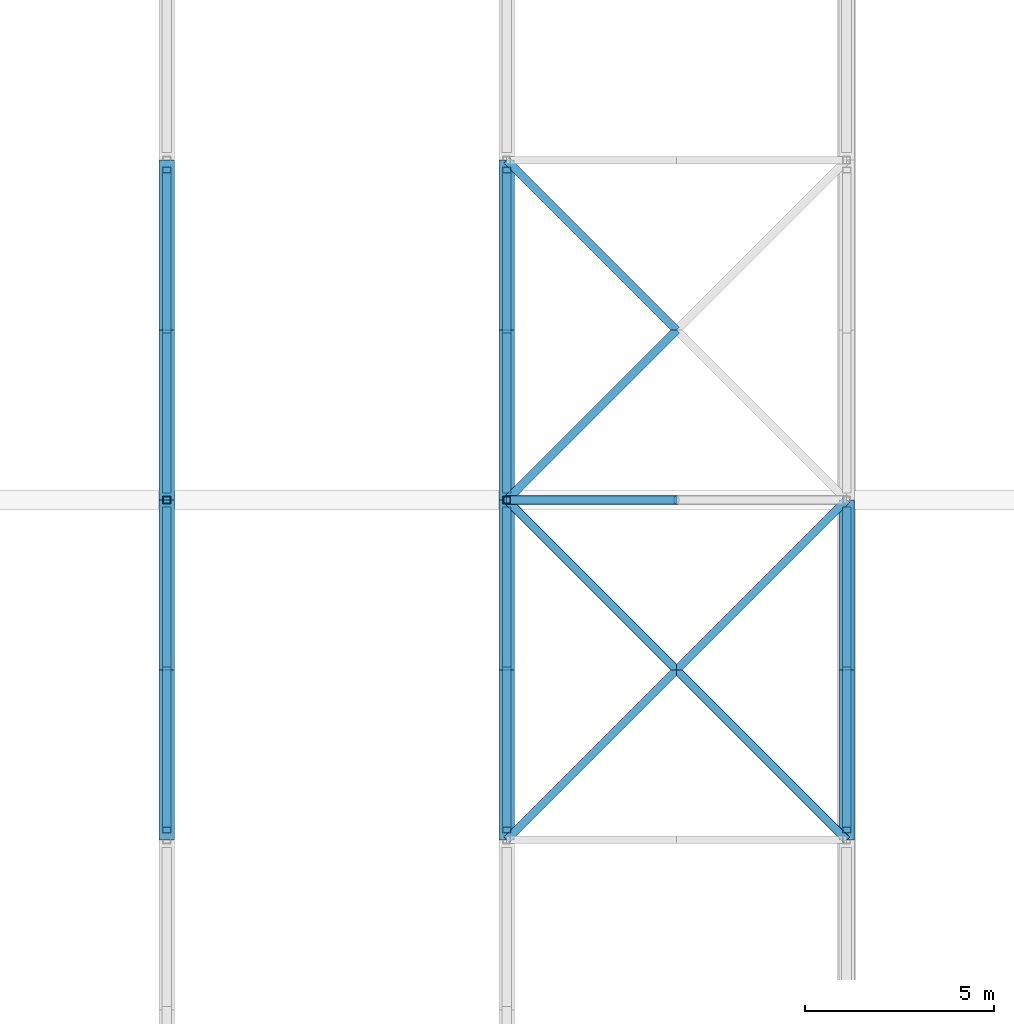
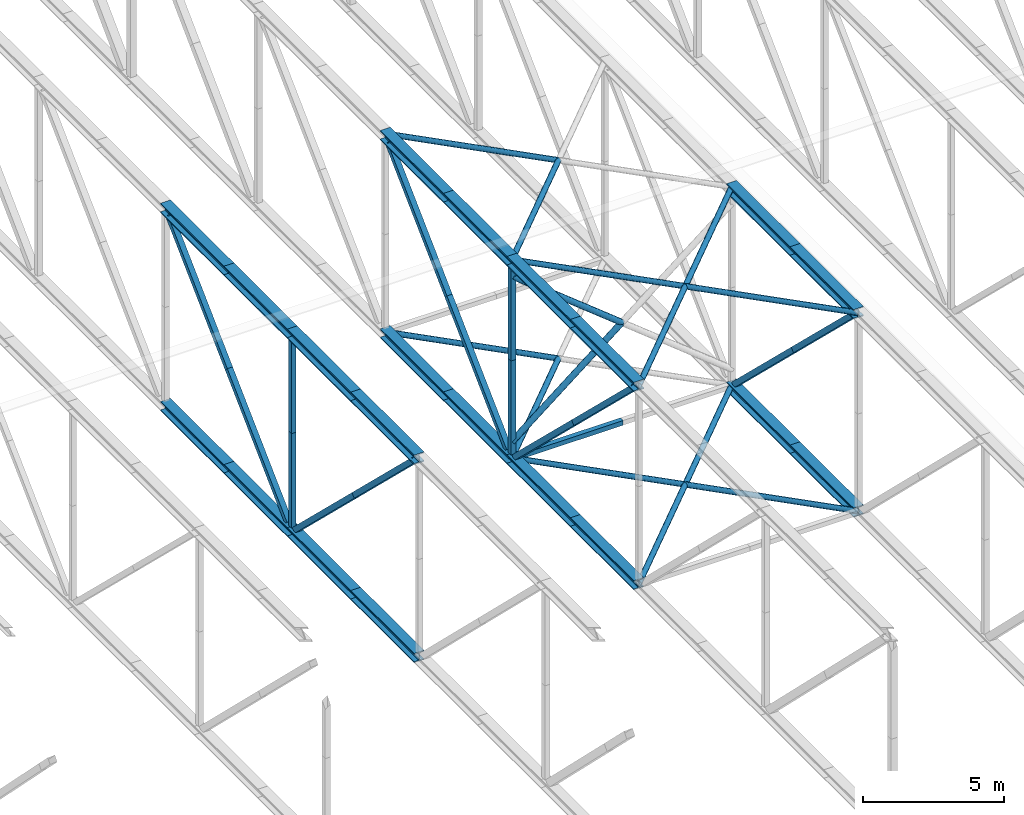
# One storey, part 69 of 646: 49 members.
"""IFC4 building model written with IfcOpenShell, lengths in metres."""

from ifc_helpers import new_model, si_unit, direction, frame, origin, origin_2d, place, context, subcontext, project, spatial, hollow_rectangle, hollow_circle, i_section, extrude, material, material_profile, profile_set, type_object, element, save


model = new_model("IFC4")

# Units and contexts
model_context = context("Model", 3, precision=1e-05, world=origin(), true_north=direction((0.0, 1.0)))
body_context = subcontext(model_context, "Body", "Model", "MODEL_VIEW")
ifc_project = project(units=[si_unit("LENGTHUNIT", "METRE"), si_unit("AREAUNIT", "SQUARE_METRE"), si_unit("VOLUMEUNIT", "CUBIC_METRE"), si_unit("PLANEANGLEUNIT", "RADIAN"), si_unit("MASSUNIT", "GRAM", prefix="KILO")], contexts=[model_context])

# Site, building, storey
site_placement = place(None, origin())
site = spatial("IfcSite", under=ifc_project, at=site_placement, CompositionType="ELEMENT")
building_placement = place(site_placement, origin())
building = spatial("IfcBuilding", under=site, at=building_placement, Name="Silverbay Arena", CompositionType="ELEMENT")
storey_placement = place(building_placement, frame((0.0, 0.0, 33.5)))
storey = spatial("IfcBuildingStorey", under=building, at=storey_placement, Name="L05", CompositionType="ELEMENT", Elevation=33.5)

# Members
ifc_material_1 = material(Name="Steel S355", Category="steel")
ifc_material_profile_1 = material_profile(ifc_material_1, hollow_rectangle(XDim=0.199951171875, YDim=0.199951171875, WallThickness=0.008056640625, at=origin_2d()), Name="SHS 200x200x8")
ifc_profile_set_1 = profile_set([ifc_material_profile_1], Name="Steel S355")
member_type_1 = type_object("IfcMemberType", Name="Bracing strut SHS 200x200x8", PredefinedType="STRUT", material=ifc_profile_set_1)
member_1_placement = place(storey_placement, frame((126.0, 81.0, 4.203125), z_axis=(1.0, 0.0, 0.0), x_axis=(0.0, 1.0, 0.0)))
element("IfcMember", 1, at=member_1_placement, inside=storey, type_object=member_type_1, Name="ROOF BRACING strut 15-16 line 09a", PredefinedType="STRUT", context=body_context, shape_type="SweptSolid", body=[
    extrude(hollow_rectangle(XDim=0.199951171875, YDim=0.199951171875, WallThickness=0.008056640625, at=origin_2d()), origin(), (0.0, 0.0, 1.0), 4.5),
])
ifc_material_2 = material(Name="Steel S355", Category="steel")
ifc_material_profile_2 = material_profile(ifc_material_2, i_section(OverallWidth=0.403076171875, OverallDepth=0.406494140625, WebThickness=0.026611328125, FlangeThickness=0.04296875, at=origin_2d()), Name="UC 356x406x340")
ifc_profile_set_2 = profile_set([ifc_material_profile_2], Name="Steel S355")
member_type_2 = type_object("IfcMemberType", Name="Main-span bottom chord UC 356x406x340", PredefinedType="CHORD", material=ifc_profile_set_2)
for number, where, z_axis, x_axis, name in (
    (2, (117.0, 72.0, 4.203125), (0.0, 1.0, 0.0), (-1.0, 0.0, 0.0), "ROOF TRUSS 14 bottom chord 08a"),
    (3, (117.0, 76.5, 4.203125), (0.0, 1.0, 0.0), (-1.0, 0.0, 0.0), "ROOF TRUSS 14 bottom chord 08b"),
    (4, (117.0, 81.0, 4.203125), (0.0, 1.0, 0.0), (-1.0, 0.0, 0.0), "ROOF TRUSS 14 bottom chord 09a"),
    (5, (117.0, 85.5, 4.203125), (0.0, 1.0, 0.0), (-1.0, 0.0, 0.0), "ROOF TRUSS 14 bottom chord 09b"),
    (6, (126.0, 72.0, 4.203125), (0.0, 1.0, 0.0), (-1.0, 0.0, 0.0), "ROOF TRUSS 15 bottom chord 08a"),
    (7, (126.0, 76.5, 4.203125), (0.0, 1.0, 0.0), (-1.0, 0.0, 0.0), "ROOF TRUSS 15 bottom chord 08b"),
    (8, (126.0, 81.0, 4.203125), (0.0, 1.0, 0.0), (-1.0, 0.0, 0.0), "ROOF TRUSS 15 bottom chord 09a"),
    (9, (126.0, 85.5, 4.203125), (0.0, 1.0, 0.0), (-1.0, 0.0, 0.0), "ROOF TRUSS 15 bottom chord 09b"),
    (10, (135.0, 72.0, 4.203125), (0.0, 1.0, 0.0), (-1.0, 0.0, 0.0), "ROOF TRUSS 16 bottom chord 08a"),
    (11, (135.0, 76.5, 4.203125), (0.0, 1.0, 0.0), (-1.0, 0.0, 0.0), "ROOF TRUSS 16 bottom chord 08b"),
):
    element("IfcMember", number, at=place(storey_placement, frame(where, z_axis=z_axis, x_axis=x_axis)), inside=storey, type_object=member_type_2, Name=name, PredefinedType="CHORD", context=body_context, shape_type="SweptSolid", body=[
        extrude(i_section(OverallWidth=0.403076171875, OverallDepth=0.406494140625, WebThickness=0.026611328125, FlangeThickness=0.04296875, at=origin_2d()), origin(), (0.0, 0.0, 1.0), 4.5),
    ])
ifc_material_3 = material(Name="Steel S355", Category="steel")
ifc_material_profile_3 = material_profile(ifc_material_3, i_section(OverallWidth=0.406982421875, OverallDepth=0.4189453125, WebThickness=0.030517578125, FlangeThickness=0.04931640625, at=origin_2d()), Name="UC 356x406x393")
ifc_profile_set_3 = profile_set([ifc_material_profile_3], Name="Steel S355")
member_type_3 = type_object("IfcMemberType", Name="Main-span top chord UC 356x406x393", PredefinedType="CHORD", material=ifc_profile_set_3)
for number, where, z_axis, x_axis, name in (
    (12, (117.0, 72.0, 12.79052734375), (0.0, 1.0, 0.0), (-1.0, 0.0, 0.0), "ROOF TRUSS 14 top chord 08a"),
    (13, (117.0, 76.5, 12.79052734375), (0.0, 1.0, 0.0), (-1.0, 0.0, 0.0), "ROOF TRUSS 14 top chord 08b"),
    (14, (117.0, 81.0, 12.79052734375), (0.0, 1.0, 0.0), (-1.0, 0.0, 0.0), "ROOF TRUSS 14 top chord 09a"),
    (15, (117.0, 85.5, 12.79052734375), (0.0, 1.0, 0.0), (-1.0, 0.0, 0.0), "ROOF TRUSS 14 top chord 09b"),
    (16, (126.0, 72.0, 12.79052734375), (0.0, 1.0, 0.0), (-1.0, 0.0, 0.0), "ROOF TRUSS 15 top chord 08a"),
    (17, (126.0, 76.5, 12.79052734375), (0.0, 1.0, 0.0), (-1.0, 0.0, 0.0), "ROOF TRUSS 15 top chord 08b"),
    (18, (126.0, 81.0, 12.79052734375), (0.0, 1.0, 0.0), (-1.0, 0.0, 0.0), "ROOF TRUSS 15 top chord 09a"),
    (19, (126.0, 85.5, 12.79052734375), (0.0, 1.0, 0.0), (-1.0, 0.0, 0.0), "ROOF TRUSS 15 top chord 09b"),
    (20, (135.0, 72.0, 12.79052734375), (0.0, 1.0, 0.0), (-1.0, 0.0, 0.0), "ROOF TRUSS 16 top chord 08a"),
    (21, (135.0, 76.5, 12.79052734375), (0.0, 1.0, 0.0), (-1.0, 0.0, 0.0), "ROOF TRUSS 16 top chord 08b"),
):
    element("IfcMember", number, at=place(storey_placement, frame(where, z_axis=z_axis, x_axis=x_axis)), inside=storey, type_object=member_type_3, Name=name, PredefinedType="CHORD", context=body_context, shape_type="SweptSolid", body=[
        extrude(i_section(OverallWidth=0.406982421875, OverallDepth=0.4189453125, WebThickness=0.030517578125, FlangeThickness=0.04931640625, at=origin_2d()), origin(), (0.0, 0.0, 1.0), 4.5),
    ])
ifc_material_4 = material(Name="Steel S355", Category="steel")
ifc_material_profile_4 = material_profile(ifc_material_4, hollow_rectangle(XDim=0.219970703125, YDim=0.219970703125, WallThickness=0.010009765625, at=origin_2d()), Name="SHS 220x220x10")
ifc_profile_set_4 = profile_set([ifc_material_profile_4], Name="Steel S355")
member_type_4 = type_object("IfcMemberType", Name="Main-span truss diagonal SHS 220x220x10", PredefinedType="BRACE", material=ifc_profile_set_4)
member_2_placement = place(storey_placement, frame((117.0, 72.263671875, 12.5810546875), z_axis=(0.0, 0.719642957034, -0.694344305364), x_axis=(-1.0, 0.0, 0.0)))
element("IfcMember", 22, at=member_2_placement, inside=storey, type_object=member_type_4, Name="ROOF TRUSS 14 diagonal 08a", PredefinedType="BRACE", context=body_context, shape_type="SweptSolid", body=[
    extrude(hollow_rectangle(XDim=0.219970703125, YDim=0.219970703125, WallThickness=0.010009765625, at=origin_2d()), origin(), (0.0, 0.0, 1.0), 5.88671875),
])
member_3_placement = place(storey_placement, frame((117.0, 76.5, 8.49365234375), z_axis=(0.0, 0.719663680638, -0.694322826047), x_axis=(-1.0, 0.0, 0.0)))
element("IfcMember", 23, at=member_3_placement, inside=storey, type_object=member_type_4, Name="ROOF TRUSS 14 diagonal 08b", PredefinedType="BRACE", context=body_context, shape_type="SweptSolid", body=[
    extrude(hollow_rectangle(XDim=0.219970703125, YDim=0.219970703125, WallThickness=0.010009765625, at=origin_2d()), origin(), (0.0, 0.0, 1.0), 5.886474609375),
])
member_4_placement = place(storey_placement, frame((117.0, 89.736328125, 12.5810546875), z_axis=(0.0, -0.719642957034, -0.694344305364), x_axis=(1.0, 0.0, 0.0)))
element("IfcMember", 24, at=member_4_placement, inside=storey, type_object=member_type_4, Name="ROOF TRUSS 14 diagonal 09a", PredefinedType="BRACE", context=body_context, shape_type="SweptSolid", body=[
    extrude(hollow_rectangle(XDim=0.219970703125, YDim=0.219970703125, WallThickness=0.010009765625, at=origin_2d()), origin(), (0.0, 0.0, 1.0), 5.88671875),
])
member_5_placement = place(storey_placement, frame((117.0, 85.5, 8.49365234375), z_axis=(0.0, -0.719663680638, -0.694322826047), x_axis=(1.0, 0.0, 0.0)))
element("IfcMember", 25, at=member_5_placement, inside=storey, type_object=member_type_4, Name="ROOF TRUSS 14 diagonal 09b", PredefinedType="BRACE", context=body_context, shape_type="SweptSolid", body=[
    extrude(hollow_rectangle(XDim=0.219970703125, YDim=0.219970703125, WallThickness=0.010009765625, at=origin_2d()), origin(), (0.0, 0.0, 1.0), 5.886474609375),
])
member_6_placement = place(storey_placement, frame((126.0, 72.263671875, 12.5810546875), z_axis=(0.0, 0.719642957034, -0.694344305364), x_axis=(-1.0, 0.0, 0.0)))
element("IfcMember", 26, at=member_6_placement, inside=storey, type_object=member_type_4, Name="ROOF TRUSS 15 diagonal 08a", PredefinedType="BRACE", context=body_context, shape_type="SweptSolid", body=[
    extrude(hollow_rectangle(XDim=0.219970703125, YDim=0.219970703125, WallThickness=0.010009765625, at=origin_2d()), origin(), (0.0, 0.0, 1.0), 5.88671875),
])
member_7_placement = place(storey_placement, frame((126.0, 76.5, 8.49365234375), z_axis=(0.0, 0.719663680638, -0.694322826047), x_axis=(-1.0, 0.0, 0.0)))
element("IfcMember", 27, at=member_7_placement, inside=storey, type_object=member_type_4, Name="ROOF TRUSS 15 diagonal 08b", PredefinedType="BRACE", context=body_context, shape_type="SweptSolid", body=[
    extrude(hollow_rectangle(XDim=0.219970703125, YDim=0.219970703125, WallThickness=0.010009765625, at=origin_2d()), origin(), (0.0, 0.0, 1.0), 5.886474609375),
])
member_8_placement = place(storey_placement, frame((126.0, 89.736328125, 12.5810546875), z_axis=(0.0, -0.719642957034, -0.694344305364), x_axis=(1.0, 0.0, 0.0)))
element("IfcMember", 28, at=member_8_placement, inside=storey, type_object=member_type_4, Name="ROOF TRUSS 15 diagonal 09a", PredefinedType="BRACE", context=body_context, shape_type="SweptSolid", body=[
    extrude(hollow_rectangle(XDim=0.219970703125, YDim=0.219970703125, WallThickness=0.010009765625, at=origin_2d()), origin(), (0.0, 0.0, 1.0), 5.88671875),
])
member_9_placement = place(storey_placement, frame((126.0, 85.5, 8.49365234375), z_axis=(0.0, -0.719663680638, -0.694322826047), x_axis=(1.0, 0.0, 0.0)))
element("IfcMember", 29, at=member_9_placement, inside=storey, type_object=member_type_4, Name="ROOF TRUSS 15 diagonal 09b", PredefinedType="BRACE", context=body_context, shape_type="SweptSolid", body=[
    extrude(hollow_rectangle(XDim=0.219970703125, YDim=0.219970703125, WallThickness=0.010009765625, at=origin_2d()), origin(), (0.0, 0.0, 1.0), 5.886474609375),
])
member_10_placement = place(storey_placement, frame((135.0, 72.263671875, 12.5810546875), z_axis=(0.0, 0.719642957034, -0.694344305364), x_axis=(-1.0, 0.0, 0.0)))
element("IfcMember", 30, at=member_10_placement, inside=storey, type_object=member_type_4, Name="ROOF TRUSS 16 diagonal 08a", PredefinedType="BRACE", context=body_context, shape_type="SweptSolid", body=[
    extrude(hollow_rectangle(XDim=0.219970703125, YDim=0.219970703125, WallThickness=0.010009765625, at=origin_2d()), origin(), (0.0, 0.0, 1.0), 5.88671875),
])
member_11_placement = place(storey_placement, frame((135.0, 76.5, 8.49365234375), z_axis=(0.0, 0.719663680638, -0.694322826047), x_axis=(-1.0, 0.0, 0.0)))
element("IfcMember", 31, at=member_11_placement, inside=storey, type_object=member_type_4, Name="ROOF TRUSS 16 diagonal 08b", PredefinedType="BRACE", context=body_context, shape_type="SweptSolid", body=[
    extrude(hollow_rectangle(XDim=0.219970703125, YDim=0.219970703125, WallThickness=0.010009765625, at=origin_2d()), origin(), (0.0, 0.0, 1.0), 5.886474609375),
])
ifc_material_5 = material(Name="Steel S355", Category="steel")
ifc_material_profile_5 = material_profile(ifc_material_5, hollow_rectangle(XDim=0.199951171875, YDim=0.199951171875, WallThickness=0.008056640625, at=origin_2d()), Name="SHS 200x200x8")
ifc_profile_set_5 = profile_set([ifc_material_profile_5], Name="Steel S355")
member_type_5 = type_object("IfcMemberType", Name="Main-span truss vertical SHS 200x200x8", PredefinedType="STRUT", material=ifc_profile_set_5)
member_12_placement = place(storey_placement, frame((117.0, 81.0, 4.406494140625), z_axis=(0.0, 0.0, 1.0), x_axis=(1.0, 0.0, 0.0)))
element("IfcMember", 32, at=member_12_placement, inside=storey, type_object=member_type_5, Name="ROOF TRUSS 14 vertical 09a", PredefinedType="STRUT", context=body_context, shape_type="SweptSolid", body=[
    extrude(hollow_rectangle(XDim=0.199951171875, YDim=0.199951171875, WallThickness=0.008056640625, at=origin_2d()), origin(), (0.0, 0.0, 1.0), 4.087158203125),
])
member_13_placement = place(storey_placement, frame((117.0, 81.0, 8.49365234375), z_axis=(0.0, 0.0, 1.0), x_axis=(1.0, 0.0, 0.0)))
element("IfcMember", 33, at=member_13_placement, inside=storey, type_object=member_type_5, Name="ROOF TRUSS 14 vertical 09b", PredefinedType="STRUT", context=body_context, shape_type="SweptSolid", body=[
    extrude(hollow_rectangle(XDim=0.199951171875, YDim=0.199951171875, WallThickness=0.008056640625, at=origin_2d()), origin(), (0.0, 0.0, 1.0), 4.08740234375),
])
member_14_placement = place(storey_placement, frame((126.0, 81.0, 4.406494140625), z_axis=(0.0, 0.0, 1.0), x_axis=(1.0, 0.0, 0.0)))
element("IfcMember", 34, at=member_14_placement, inside=storey, type_object=member_type_5, Name="ROOF TRUSS 15 vertical 09a", PredefinedType="STRUT", context=body_context, shape_type="SweptSolid", body=[
    extrude(hollow_rectangle(XDim=0.199951171875, YDim=0.199951171875, WallThickness=0.008056640625, at=origin_2d()), origin(), (0.0, 0.0, 1.0), 4.087158203125),
])
member_15_placement = place(storey_placement, frame((126.0, 81.0, 8.49365234375), z_axis=(0.0, 0.0, 1.0), x_axis=(1.0, 0.0, 0.0)))
element("IfcMember", 35, at=member_15_placement, inside=storey, type_object=member_type_5, Name="ROOF TRUSS 15 vertical 09b", PredefinedType="STRUT", context=body_context, shape_type="SweptSolid", body=[
    extrude(hollow_rectangle(XDim=0.199951171875, YDim=0.199951171875, WallThickness=0.008056640625, at=origin_2d()), origin(), (0.0, 0.0, 1.0), 4.08740234375),
])
ifc_material_6 = material(Name="Steel S355", Category="steel")
ifc_material_profile_6 = material_profile(ifc_material_6, hollow_circle(Radius=0.109619140625, WallThickness=0.00634765625, at=origin_2d()), Name="CHS 219.1x6.3")
ifc_profile_set_6 = profile_set([ifc_material_profile_6], Name="Steel S355")
member_type_6 = type_object("IfcMemberType", Name="Plan bracing CHS 219.1x6.3", PredefinedType="BRACE", material=ifc_profile_set_6)
for number, where, z_axis, x_axis, name in (
    (36, (126.0, 72.0, 12.79052734375), (0.707106781187, 0.707106781187, 0.0), (-0.707106781187, 0.707106781187, 0.0), "ROOF BRACING top 15-16 panel 08 Aa"),
    (37, (130.5, 76.5, 12.79052734375), (0.707106781187, 0.707106781187, 0.0), (-0.707106781187, 0.707106781187, 0.0), "ROOF BRACING top 15-16 panel 08 Ab"),
    (38, (126.0, 81.0, 12.79052734375), (0.707106781187, -0.707106781187, 0.0), (0.707106781187, 0.707106781187, 0.0), "ROOF BRACING top 15-16 panel 08 Ba"),
    (39, (130.5, 76.5, 12.79052734375), (0.707106781187, -0.707106781187, 0.0), (0.707106781187, 0.707106781187, 0.0), "ROOF BRACING top 15-16 panel 08 Bb"),
    (40, (126.0, 81.0, 12.79052734375), (0.707106781187, 0.707106781187, 0.0), (-0.707106781187, 0.707106781187, 0.0), "ROOF BRACING top 15-16 panel 09 Aa"),
    (41, (126.0, 90.0, 12.79052734375), (0.707106781187, -0.707106781187, 0.0), (0.707106781187, 0.707106781187, 0.0), "ROOF BRACING top 15-16 panel 09 Ba"),
    (42, (126.0, 72.0, 4.203125), (0.707106781187, 0.707106781187, 0.0), (-0.707106781187, 0.707106781187, 0.0), "ROOF BRACING bottom 15-16 panel 08 Aa"),
    (43, (130.5, 76.5, 4.203125), (0.707106781187, 0.707106781187, 0.0), (-0.707106781187, 0.707106781187, 0.0), "ROOF BRACING bottom 15-16 panel 08 Ab"),
    (44, (126.0, 81.0, 4.203125), (0.707106781187, -0.707106781187, 0.0), (0.707106781187, 0.707106781187, 0.0), "ROOF BRACING bottom 15-16 panel 08 Ba"),
    (45, (130.5, 76.5, 4.203125), (0.707106781187, -0.707106781187, 0.0), (0.707106781187, 0.707106781187, 0.0), "ROOF BRACING bottom 15-16 panel 08 Bb"),
    (46, (126.0, 81.0, 4.203125), (0.707106781187, 0.707106781187, 0.0), (-0.707106781187, 0.707106781187, 0.0), "ROOF BRACING bottom 15-16 panel 09 Aa"),
    (47, (126.0, 90.0, 4.203125), (0.707106781187, -0.707106781187, 0.0), (0.707106781187, 0.707106781187, 0.0), "ROOF BRACING bottom 15-16 panel 09 Ba"),
):
    element("IfcMember", number, at=place(storey_placement, frame(where, z_axis=z_axis, x_axis=x_axis)), inside=storey, type_object=member_type_6, Name=name, PredefinedType="BRACE", context=body_context, shape_type="SweptSolid", body=[
        extrude(hollow_circle(Radius=0.109619140625, WallThickness=0.00634765625, at=origin_2d()), origin(), (0.0, 0.0, 1.0), 6.364013671875),
    ])
ifc_material_7 = material(Name="Steel S355", Category="steel")
ifc_material_profile_7 = material_profile(ifc_material_7, hollow_circle(Radius=0.122314453125, WallThickness=0.00634765625, at=origin_2d()), Name="CHS 244.5x6.3")
ifc_profile_set_7 = profile_set([ifc_material_profile_7], Name="Steel S355")
member_type_7 = type_object("IfcMemberType", Name="Vertical bracing CHS 244.5x6.3", PredefinedType="BRACE", material=ifc_profile_set_7)
for number, where, z_axis, x_axis, name in (
    (48, (126.0, 81.0, 4.906494140625), (0.781956157524, 0.0, 0.62333343221), (0.0, 1.0, 0.0), "ROOF BRACING vertical 15-16 line 09 Aa"),
    (49, (126.0, 81.0, 12.0810546875), (0.781935479439, 0.0, -0.623359371467), (0.0, 1.0, 0.0), "ROOF BRACING vertical 15-16 line 09 Ba"),
):
    element("IfcMember", number, at=place(storey_placement, frame(where, z_axis=z_axis, x_axis=x_axis)), inside=storey, type_object=member_type_7, Name=name, PredefinedType="BRACE", context=body_context, shape_type="SweptSolid", body=[
        extrude(hollow_circle(Radius=0.122314453125, WallThickness=0.00634765625, at=origin_2d()), origin(), (0.0, 0.0, 1.0), 5.7548828125),
    ])

save(model, "model.ifc")
